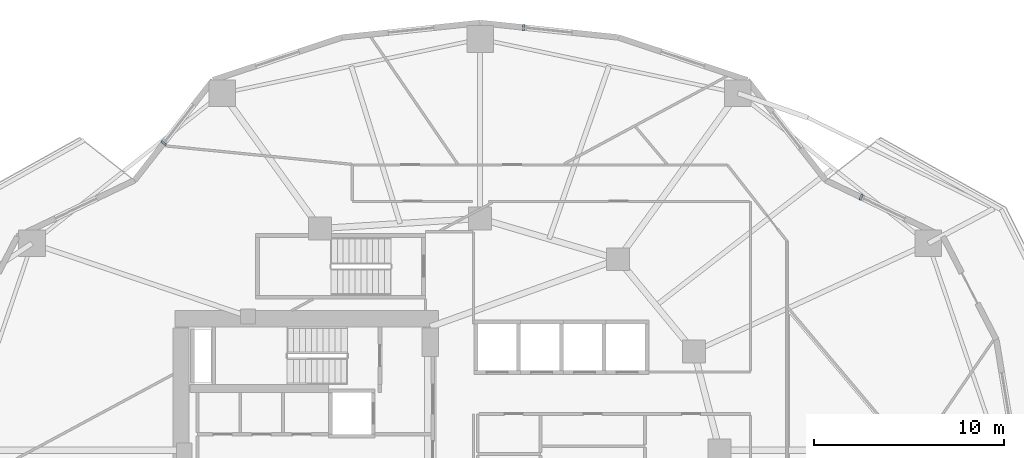
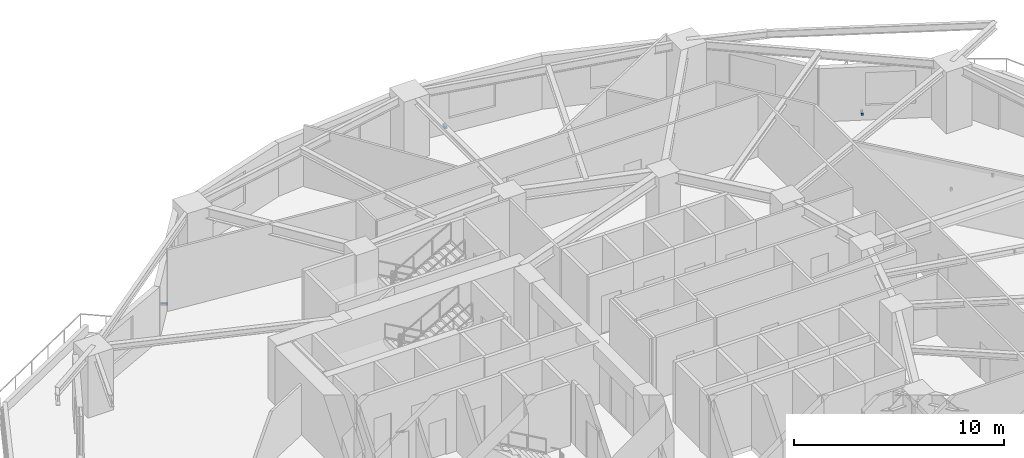
# One storey, part 11 of 16: 3 discrete accessories.
"""IFC4 building model written with IfcOpenShell, lengths in metres."""

from ifc_helpers import new_model, si_unit, direction, frame, origin, origin_2d, place, context, subcontext, project, spatial, rectangle, extrude, material, type_object, element, save


model = new_model("IFC4")

# Units and contexts
model_context = context("Model", 3, precision=1e-05, world=origin(), true_north=direction((0.0, 1.0)))
body_context = subcontext(model_context, "Body", "Model", "MODEL_VIEW")
ifc_project = project(units=[si_unit("LENGTHUNIT", "METRE"), si_unit("AREAUNIT", "SQUARE_METRE"), si_unit("VOLUMEUNIT", "CUBIC_METRE"), si_unit("PLANEANGLEUNIT", "RADIAN"), si_unit("MASSUNIT", "GRAM", prefix="KILO")], contexts=[model_context])

# Site, building, storey
site_placement = place(None, origin())
site = spatial("IfcSite", under=ifc_project, at=site_placement, CompositionType="ELEMENT")
building_placement = place(site_placement, origin())
building = spatial("IfcBuilding", under=site, at=building_placement, Name="Kolvaren Gate Tower and Convention Centre", CompositionType="ELEMENT")
storey_placement = place(building_placement, frame((0.0, 0.0, 34.199951171875)))
storey = spatial("IfcBuildingStorey", under=building, at=storey_placement, Name="L07", CompositionType="ELEMENT", Elevation=34.199951171875)

# Discrete accessories
ifc_material = material(Name="Anodized Architectural Aluminium Alloy 6063-T6", Category="aluminium")
discrete_accessory_type = type_object("IfcDiscreteAccessoryType", Name="ARCH-ACC-BRACKET-120", PredefinedType="BRACKET", material=ifc_material)
for number, where, z_axis, x_axis, name in (
    (1, (50.173095703125, 40.3203125, 0.2900390625), (0.0, 0.0, 1.0), (0.90136443672, -0.433061372343, 0.0), "Ceramic Fin Wall Anchor Bracket FBK-L07-02"),
    (2, (32.412353515625, 49.259033203125, 0.2900390625), (0.0, 0.0, 1.0), (0.994498884311, -0.104747167526, 0.0), "Ceramic Fin Wall Anchor Bracket FBK-L07-05"),
    (3, (13.469482421875, 43.173583984375, 0.2900390625), (0.0, 0.0, 1.0), (0.616424499081, 0.787414018756, 0.0), "Ceramic Fin Wall Anchor Bracket FBK-L07-08"),
):
    element("IfcDiscreteAccessory", number, at=place(storey_placement, frame(where, z_axis=z_axis, x_axis=x_axis)), inside=storey, type_object=discrete_accessory_type, Name=name, PredefinedType="BRACKET", context=body_context, shape_type="SweptSolid", body=[
        extrude(rectangle(XDim=0.1201171875, YDim=0.320068359375, at=origin_2d()), origin(), (0.0, 0.0, 1.0), 0.1201171875),
    ])

save(model, "model.ifc")
